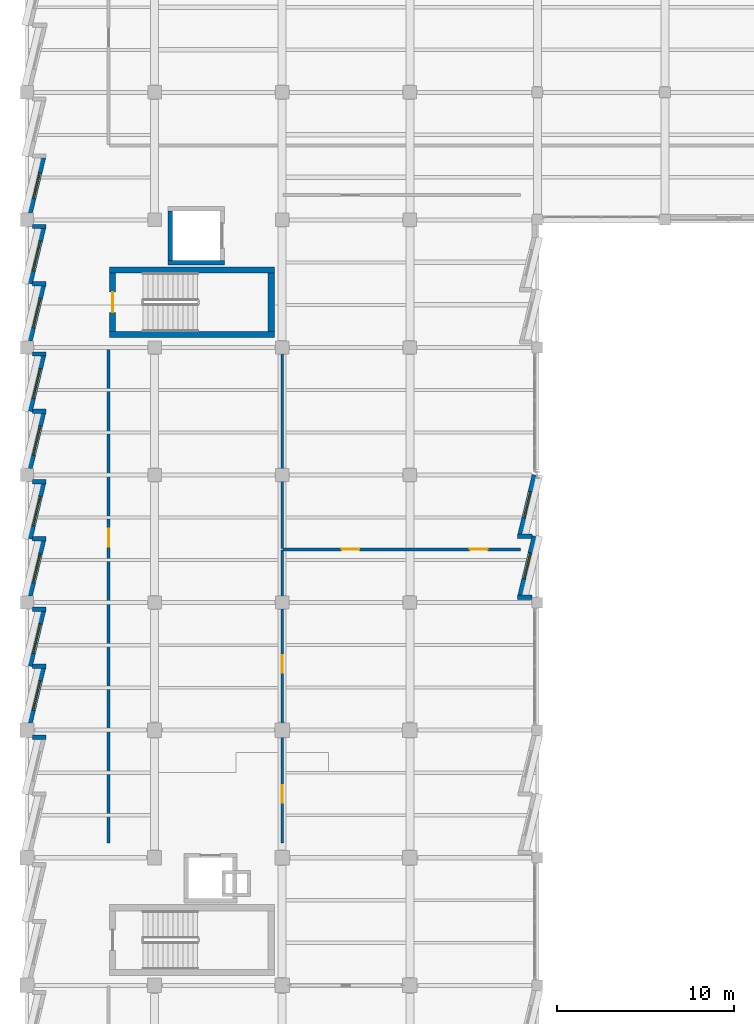
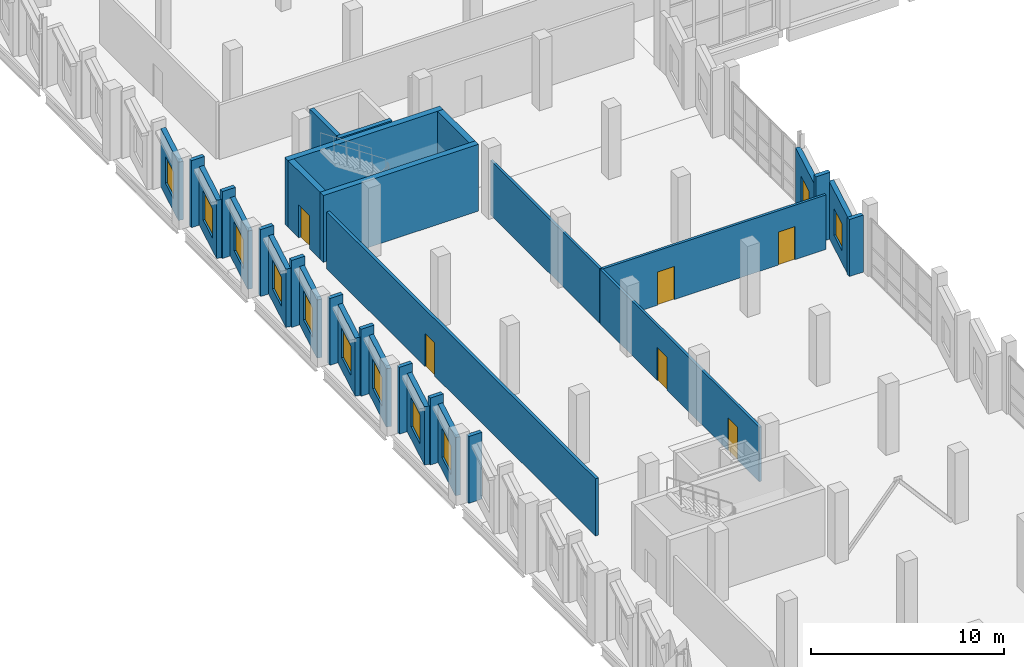
# One storey, part 93 of 123: 32 walls, 11 windows, 6 doors, 17 openings.
"""IFC4 building model written with IfcOpenShell, lengths in metres."""

from ifc_helpers import new_model, si_unit, direction, frame, frame_2d, origin, place, context, subcontext, project, spatial, rectangle, extrude, material, layer, layer_set, type_object, element, fill, save


model = new_model("IFC4")

# Units and contexts
model_context = context("Model", 3, precision=1e-05, world=origin(), true_north=direction((0.0, 1.0)))
body_context = subcontext(model_context, "Body", "Model", "MODEL_VIEW")
ifc_project = project(units=[si_unit("LENGTHUNIT", "METRE"), si_unit("AREAUNIT", "SQUARE_METRE"), si_unit("VOLUMEUNIT", "CUBIC_METRE"), si_unit("PLANEANGLEUNIT", "RADIAN"), si_unit("MASSUNIT", "GRAM", prefix="KILO")], contexts=[model_context])

# Site, building, storey
site_placement = place(None, origin())
site = spatial("IfcSite", under=ifc_project, at=site_placement, CompositionType="ELEMENT")
building_placement = place(site_placement, origin())
building = spatial("IfcBuilding", under=site, at=building_placement, Name="Kalmorath City Hall", CompositionType="ELEMENT")
storey_placement = place(building_placement, frame((0.0, 0.0, 10.199951171875)))
storey = spatial("IfcBuildingStorey", under=building, at=storey_placement, Name="L02", CompositionType="ELEMENT", Elevation=10.199951171875)

# Walls
ifc_material_1 = material(Name="Concrete C50/60", Category="concrete")
ifc_layer_1 = layer(ifc_material_1, 0.35009765625)
ifc_layer_set_1 = layer_set([ifc_layer_1], Name="Concrete C50/60")
wall_type_1 = type_object("IfcWallType", Name="Concrete core shear wall 350", PredefinedType="SHEAR", material=ifc_layer_set_1)
for number, where, z_axis, x_axis, name in (
    (1, (4.64990234375, 87.125, 0.0), (0.0, 0.0, 1.0), (1.0, 0.0, 0.0), "L02 C4 stair core shear wall S"),
    (2, (13.949951171875, 90.77490234375, 0.0), (0.0, 0.0, 1.0), (-1.0, 0.0, 0.0), "L02 C4 stair core shear wall N"),
):
    element("IfcWall", number, at=place(storey_placement, frame(where, z_axis=z_axis, x_axis=x_axis)), inside=storey, type_object=wall_type_1, Name=name, PredefinedType="SHEAR", context=body_context, shape_type="SweptSolid", body=[
        extrude(rectangle(XDim=9.300048828125, YDim=0.35009765625, at=frame_2d((4.64990234375, 0.0))), origin(), (0.0, 0.0, 1.0), 4.239990234375),
    ])

# Wall, opening, door
wall_1_placement = place(storey_placement, frame((4.824951171875, 90.60009765625, 0.0), z_axis=(0.0, 0.0, 1.0), x_axis=(0.0, -1.0, 0.0)))
wall_1 = element("IfcWall", 3, at=wall_1_placement, inside=storey, type_object=wall_type_1, Name="L02 C4 stair core shear wall W", PredefinedType="SHEAR", context=body_context, shape_type="SweptSolid", body=[
    extrude(rectangle(XDim=3.300048828125, YDim=0.35009765625, at=frame_2d((1.64990234375, 0.0))), origin(), (0.0, 0.0, 1.0), 4.239990234375),
])
opening_1_placement = place(wall_1_placement, frame((1.074951171875, 0.0, 0.0)))
opening_1 = element("IfcOpeningElement", 4, at=opening_1_placement, cuts=wall_1, Name="Opening D-L02-082", PredefinedType="OPENING", context=body_context, shape_type="SweptSolid", body=[
    extrude(rectangle(XDim=1.14990234375, YDim=2.10009765625, at=frame_2d((0.574951171875, 1.050048828125))), frame((0.0, 0.18505859375, 0.0), z_axis=(0.0, -1.0, 0.0), x_axis=(1.0, 0.0, 0.0)), (0.0, 0.0, 1.0), 0.3701171875),
])
ifc_material_2 = material(Name="Galvanised steel fire door", Category="steel")
door_type_1 = type_object("IfcDoorType", Name="Stair enclosure 90-min fire door 1150x2100", OperationType="NOTDEFINED", PredefinedType="DOOR", material=ifc_material_2)
door_1_placement = place(opening_1_placement, frame((1.14990234375, 0.0, 0.0), z_axis=(0.0, 0.0, 1.0), x_axis=(-1.0, 0.0, 0.0)))
door_1 = element("IfcDoor", 5, at=door_1_placement, inside=storey, type_object=door_type_1, Name="L02 door D-L02-082", OperationType="SINGLE_SWING_RIGHT", OverallHeight=2.10009765625, OverallWidth=1.14990234375, PredefinedType="DOOR", context=body_context, shape_type="SweptSolid", body=[
    extrude(rectangle(XDim=1.14990234375, YDim=2.10009765625, at=frame_2d((0.574951171875, 1.050048828125))), frame((0.0, 0.02490234375, 0.0), z_axis=(0.0, -1.0, 0.0), x_axis=(1.0, 0.0, 0.0)), (0.0, 0.0, 1.0), 0.050048828125),
])
fill(opening_1, door_1)

# Walls
wall_2_placement = place(storey_placement, frame((13.77490234375, 87.300048828125, 0.0), z_axis=(0.0, 0.0, 1.0), x_axis=(0.0, 1.0, 0.0)))
element("IfcWall", 6, at=wall_2_placement, inside=storey, type_object=wall_type_1, Name="L02 C4 stair core shear wall E", PredefinedType="SHEAR", context=body_context, shape_type="SweptSolid", body=[
    extrude(rectangle(XDim=3.300048828125, YDim=0.35009765625, at=frame_2d((1.64990234375, 0.0))), origin(), (0.0, 0.0, 1.0), 4.239990234375),
])
ifc_material_3 = material(Name="Concrete C50/60", Category="concrete")
ifc_layer_2 = layer(ifc_material_3, 0.25)
ifc_layer_set_2 = layer_set([ifc_layer_2], Name="Concrete C50/60")
wall_type_2 = type_object("IfcWallType", Name="Concrete lift shaft wall 250", PredefinedType="SHEAR", material=ifc_layer_set_2)
wall_3_placement = place(storey_placement, frame((7.949951171875, 91.175048828125, 0.0), z_axis=(0.0, 0.0, 1.0), x_axis=(1.0, 0.0, 0.0)))
element("IfcWall", 7, at=wall_3_placement, inside=storey, type_object=wall_type_2, Name="L02 SL1 lift shaft wall -y", PredefinedType="SHEAR", context=body_context, shape_type="SweptSolid", body=[
    extrude(rectangle(XDim=3.199951171875, YDim=0.25, at=frame_2d((1.60009765625, 0.0))), origin(), (0.0, 0.0, 1.0), 4.239990234375),
])
wall_4_placement = place(storey_placement, frame((8.074951171875, 94.10009765625, 0.0), z_axis=(0.0, 0.0, 1.0), x_axis=(0.0, -1.0, 0.0)))
element("IfcWall", 8, at=wall_4_placement, inside=storey, type_object=wall_type_2, Name="L02 SL1 lift shaft wall -x", PredefinedType="SHEAR", context=body_context, shape_type="SweptSolid", body=[
    extrude(rectangle(XDim=2.800048828125, YDim=0.25, at=frame_2d((1.39990234375, 0.0))), origin(), (0.0, 0.0, 1.0), 4.239990234375),
])

# Wall, openings, doors
ifc_material_4 = material(Name="Acoustic metal-stud gypsum partition")
ifc_layer_3 = layer(ifc_material_4, 0.14990234375)
ifc_layer_set_3 = layer_set([ifc_layer_3], Name="Acoustic metal-stud gypsum partition")
wall_type_3 = type_object("IfcWallType", Name="Departmental suite partition 150", PredefinedType="PARTITIONING", material=ifc_layer_set_3)
wall_5_placement = place(storey_placement, frame((14.39990234375, 58.43994140625, 0.0), z_axis=(0.0, 0.0, 1.0), x_axis=(0.0, 1.0, 0.0)))
wall_5 = element("IfcWall", 9, at=wall_5_placement, inside=storey, type_object=wall_type_3, Name="L02 interior partition PW4 #123", PredefinedType="PARTITIONING", context=body_context, shape_type="SweptSolid", body=[
    extrude(rectangle(XDim=16.52001953125, YDim=0.14990234375, at=frame_2d((8.260009765625, 0.0))), origin(), (0.0, 0.0, 1.0), 3.450927734375),
])
opening_2_placement = place(wall_5_placement, frame((2.2548828125, 0.0, 0.0)))
opening_2 = element("IfcOpeningElement", 10, at=opening_2_placement, cuts=wall_5, Name="Opening D-L02-210", PredefinedType="OPENING", context=body_context, shape_type="SweptSolid", body=[
    extrude(rectangle(XDim=1.0, YDim=2.10009765625, at=frame_2d((0.5, 1.050048828125))), frame((0.0, 0.0849609375, 0.0), z_axis=(0.0, -1.0, 0.0), x_axis=(1.0, 0.0, 0.0)), (0.0, 0.0, 1.0), 0.169921875),
])
opening_3_placement = place(wall_5_placement, frame((9.594970703125, 0.0, 0.0)))
opening_3 = element("IfcOpeningElement", 11, at=opening_3_placement, cuts=wall_5, Name="Opening D-L02-213", PredefinedType="OPENING", context=body_context, shape_type="SweptSolid", body=[
    extrude(rectangle(XDim=1.0, YDim=2.10009765625, at=frame_2d((0.5, 1.050048828125))), frame((0.0, 0.0849609375, 0.0), z_axis=(0.0, -1.0, 0.0), x_axis=(1.0, 0.0, 0.0)), (0.0, 0.0, 1.0), 0.169921875),
])
ifc_material_5 = material(Name="Hardwood fire door", Category="wood")
door_type_2 = type_object("IfcDoorType", Name="Corridor 60-min fire door 1000x2100", OperationType="NOTDEFINED", PredefinedType="DOOR", material=ifc_material_5)
door_2_placement = place(opening_2_placement, origin())
door_2 = element("IfcDoor", 12, at=door_2_placement, inside=storey, type_object=door_type_2, Name="L02 door D-L02-210", OperationType="SINGLE_SWING_RIGHT", OverallHeight=2.10009765625, OverallWidth=1.0, PredefinedType="DOOR", context=body_context, shape_type="SweptSolid", body=[
    extrude(rectangle(XDim=1.0, YDim=2.10009765625, at=frame_2d((0.5, 1.050048828125))), frame((0.0, 0.02490234375, 0.0), z_axis=(0.0, -1.0, 0.0), x_axis=(1.0, 0.0, 0.0)), (0.0, 0.0, 1.0), 0.050048828125),
])
fill(opening_2, door_2)
door_3_placement = place(opening_3_placement, origin())
door_3 = element("IfcDoor", 13, at=door_3_placement, inside=storey, type_object=door_type_2, Name="L02 door D-L02-213", OperationType="SINGLE_SWING_LEFT", OverallHeight=2.10009765625, OverallWidth=1.0, PredefinedType="DOOR", context=body_context, shape_type="SweptSolid", body=[
    extrude(rectangle(XDim=1.0, YDim=2.10009765625, at=frame_2d((0.5, 1.050048828125))), frame((0.0, 0.02490234375, 0.0), z_axis=(0.0, -1.0, 0.0), x_axis=(1.0, 0.0, 0.0)), (0.0, 0.0, 1.0), 0.050048828125),
])
fill(opening_3, door_3)

wall_6_placement = place(storey_placement, frame((14.43994140625, 75.0, 0.0), z_axis=(0.0, 0.0, 1.0), x_axis=(1.0, 0.0, 0.0)))
wall_6 = element("IfcWall", 14, at=wall_6_placement, inside=storey, type_object=wall_type_3, Name="L02 interior partition PW4 #124", PredefinedType="PARTITIONING", context=body_context, shape_type="SweptSolid", body=[
    extrude(rectangle(XDim=13.420166015625, YDim=0.14990234375, at=frame_2d((6.7099609375, 0.0))), origin(), (0.0, 0.0, 1.0), 3.450927734375),
])
opening_4_placement = place(wall_6_placement, frame((3.31494140625, 0.0, 0.0)))
opening_4 = element("IfcOpeningElement", 15, at=opening_4_placement, cuts=wall_6, Name="Opening D-L02-211", PredefinedType="OPENING", context=body_context, shape_type="SweptSolid", body=[
    extrude(rectangle(XDim=1.0, YDim=2.10009765625, at=frame_2d((0.5, 1.050048828125))), frame((0.0, 0.0849609375, 0.0), z_axis=(0.0, -1.0, 0.0), x_axis=(1.0, 0.0, 0.0)), (0.0, 0.0, 1.0), 0.169921875),
])
opening_5_placement = place(wall_6_placement, frame((10.552490234375, 0.0, 0.0)))
opening_5 = element("IfcOpeningElement", 16, at=opening_5_placement, cuts=wall_6, Name="Opening D-L02-215", PredefinedType="OPENING", context=body_context, shape_type="SweptSolid", body=[
    extrude(rectangle(XDim=1.0, YDim=2.10009765625, at=frame_2d((0.5, 1.050048828125))), frame((0.0, 0.0849609375, 0.0), z_axis=(0.0, -1.0, 0.0), x_axis=(1.0, 0.0, 0.0)), (0.0, 0.0, 1.0), 0.169921875),
])
door_4_placement = place(opening_4_placement, origin())
door_4 = element("IfcDoor", 17, at=door_4_placement, inside=storey, type_object=door_type_2, Name="L02 door D-L02-211", OperationType="SINGLE_SWING_LEFT", OverallHeight=2.10009765625, OverallWidth=1.0, PredefinedType="DOOR", context=body_context, shape_type="SweptSolid", body=[
    extrude(rectangle(XDim=1.0, YDim=2.10009765625, at=frame_2d((0.5, 1.050048828125))), frame((0.0, 0.02490234375, 0.0), z_axis=(0.0, -1.0, 0.0), x_axis=(1.0, 0.0, 0.0)), (0.0, 0.0, 1.0), 0.050048828125),
])
fill(opening_4, door_4)
door_5_placement = place(opening_5_placement, origin())
door_5 = element("IfcDoor", 18, at=door_5_placement, inside=storey, type_object=door_type_2, Name="L02 door D-L02-215", OperationType="SINGLE_SWING_LEFT", OverallHeight=2.10009765625, OverallWidth=1.0, PredefinedType="DOOR", context=body_context, shape_type="SweptSolid", body=[
    extrude(rectangle(XDim=1.0, YDim=2.10009765625, at=frame_2d((0.5, 1.050048828125))), frame((0.0, 0.02490234375, 0.0), z_axis=(0.0, -1.0, 0.0), x_axis=(1.0, 0.0, 0.0)), (0.0, 0.0, 1.0), 0.050048828125),
])
fill(opening_5, door_5)

# Wall
wall_7_placement = place(storey_placement, frame((14.39990234375, 75.0400390625, 0.0), z_axis=(0.0, 0.0, 1.0), x_axis=(0.0, 1.0, 0.0)))
element("IfcWall", 19, at=wall_7_placement, inside=storey, type_object=wall_type_3, Name="L02 interior partition PW4 #125", PredefinedType="PARTITIONING", context=body_context, shape_type="SweptSolid", body=[
    extrude(rectangle(XDim=11.320068359375, YDim=0.14990234375, at=frame_2d((5.66015625, 0.0))), origin(), (0.0, 0.0, 1.0), 3.450927734375),
])

# Wall, opening, door
ifc_material_6 = material(Name="Fire-rated acoustic gypsum partition")
ifc_layer_4 = layer(ifc_material_6, 0.179931640625)
ifc_layer_set_4 = layer_set([ifc_layer_4], Name="Fire-rated acoustic gypsum partition")
wall_type_4 = type_object("IfcWallType", Name="One-hour corridor fire partition 180", PredefinedType="PARTITIONING", material=ifc_layer_set_4)
wall_8_placement = place(storey_placement, frame((4.60009765625, 58.43994140625, 0.0), z_axis=(0.0, 0.0, 1.0), x_axis=(0.0, 1.0, 0.0)))
wall_8 = element("IfcWall", 20, at=wall_8_placement, inside=storey, type_object=wall_type_4, Name="L02 interior partition PW2 #108", PredefinedType="PARTITIONING", context=body_context, shape_type="SweptSolid", body=[
    extrude(rectangle(XDim=27.920166015625, YDim=0.179931640625, at=frame_2d((13.9599609375, 0.0))), origin(), (0.0, 0.0, 1.0), 3.6181640625),
])
opening_6_placement = place(wall_8_placement, frame((16.719970703125, 0.0, 0.0)))
opening_6 = element("IfcOpeningElement", 21, at=opening_6_placement, cuts=wall_8, Name="Opening D-L02-212", PredefinedType="OPENING", context=body_context, shape_type="SweptSolid", body=[
    extrude(rectangle(XDim=1.0, YDim=2.10009765625, at=frame_2d((0.5, 1.050048828125))), frame((0.0, 0.099853515625, 0.0), z_axis=(0.0, -1.0, 0.0), x_axis=(1.0, 0.0, 0.0)), (0.0, 0.0, 1.0), 0.199951171875),
])
door_6_placement = place(opening_6_placement, origin())
door_6 = element("IfcDoor", 22, at=door_6_placement, inside=storey, type_object=door_type_2, Name="L02 door D-L02-212", OperationType="SINGLE_SWING_RIGHT", OverallHeight=2.10009765625, OverallWidth=1.0, PredefinedType="DOOR", context=body_context, shape_type="SweptSolid", body=[
    extrude(rectangle(XDim=1.0, YDim=2.10009765625, at=frame_2d((0.5, 1.050048828125))), frame((0.0, 0.02490234375, 0.0), z_axis=(0.0, -1.0, 0.0), x_axis=(1.0, 0.0, 0.0)), (0.0, 0.0, 1.0), 0.050048828125),
])
fill(opening_6, door_6)

# Walls
ifc_material_7 = material(Name="Precast concrete C40/50", Category="concrete")
ifc_layer_5 = layer(ifc_material_7, 0.239990234375)
ifc_layer_set_5 = layer_set([ifc_layer_5], Name="Precast concrete C40/50")
wall_type_5 = type_object("IfcWallType", Name="Precast sawtooth cheek wall 240", PredefinedType="SOLIDWALL", material=ifc_layer_set_5)
wall_9_placement = place(storey_placement, frame((1.072998046875, 64.39892578125, 0.0), z_axis=(0.0, 0.0, 1.0), x_axis=(-1.0, 0.0, 0.0)))
element("IfcWall", 23, at=wall_9_placement, inside=storey, type_object=wall_type_5, Name="L02 sawtooth return cheek #384", PredefinedType="SOLIDWALL", context=body_context, shape_type="SweptSolid", body=[
    extrude(rectangle(XDim=0.781005859375, YDim=0.239990234375, at=frame_2d((0.390625, 0.0))), origin(), (0.0, 0.0, 1.0), 4.239990234375),
])
for number, where, z_axis, x_axis, name in (
    (24, (1.075927734375, 68.41259765625, 0.0), (0.0, 0.0, 1.0), (-1.0, 0.0, 0.0), "L02 sawtooth return cheek #386"),
    (25, (1.075927734375, 71.6240234375, 0.0), (0.0, 0.0, 1.0), (-1.0, 0.0, 0.0), "L02 sawtooth return cheek #388"),
):
    element("IfcWall", number, at=place(storey_placement, frame(where, z_axis=z_axis, x_axis=x_axis)), inside=storey, type_object=wall_type_5, Name=name, PredefinedType="SOLIDWALL", context=body_context, shape_type="SweptSolid", body=[
        extrude(rectangle(XDim=0.783935546875, YDim=0.239990234375, at=frame_2d((0.39208984375, 0.0))), origin(), (0.0, 0.0, 1.0), 4.239990234375),
    ])
for number, where, z_axis, x_axis, name in (
    (26, (1.0791015625, 75.60009765625, 0.0), (0.0, 0.0, 1.0), (-1.0, 0.0, 0.0), "L02 sawtooth return cheek #390"),
    (27, (1.0791015625, 78.823974609375, 0.0), (0.0, 0.0, 1.0), (-1.0, 0.0, 0.0), "L02 sawtooth return cheek #392"),
    (28, (1.0791015625, 82.800048828125, 0.0), (0.0, 0.0, 1.0), (-1.0, 0.0, 0.0), "L02 sawtooth return cheek #394"),
    (29, (1.0791015625, 86.02392578125, 0.0), (0.0, 0.0, 1.0), (-1.0, 0.0, 0.0), "L02 sawtooth return cheek #396"),
    (30, (1.0791015625, 90.0, 0.0), (0.0, 0.0, 1.0), (-1.0, 0.0, 0.0), "L02 sawtooth return cheek #398"),
    (31, (1.0791015625, 93.22412109375, 0.0), (0.0, 0.0, 1.0), (-1.0, 0.0, 0.0), "L02 sawtooth return cheek #400"),
):
    element("IfcWall", number, at=place(storey_placement, frame(where, z_axis=z_axis, x_axis=x_axis)), inside=storey, type_object=wall_type_5, Name=name, PredefinedType="SOLIDWALL", context=body_context, shape_type="SweptSolid", body=[
        extrude(rectangle(XDim=0.787109375, YDim=0.239990234375, at=frame_2d((0.3935546875, 0.0))), origin(), (0.0, 0.0, 1.0), 4.239990234375),
    ])
wall_10_placement = place(storey_placement, frame((27.666748046875, 75.75048828125, 0.0), z_axis=(0.0, 0.0, 1.0), x_axis=(1.0, 0.0, 0.0)))
element("IfcWall", 32, at=wall_10_placement, inside=storey, type_object=wall_type_5, Name="L02 sawtooth return cheek #483", PredefinedType="SOLIDWALL", context=body_context, shape_type="SweptSolid", body=[
    extrude(rectangle(XDim=0.84130859375, YDim=0.239990234375, at=frame_2d((0.420654296875, 0.0))), origin(), (0.0, 0.0, 1.0), 4.239990234375),
])
wall_11_placement = place(storey_placement, frame((27.666748046875, 72.301025390625, 0.0), z_axis=(0.0, 0.0, 1.0), x_axis=(1.0, 0.0, 0.0)))
element("IfcWall", 33, at=wall_11_placement, inside=storey, type_object=wall_type_5, Name="L02 sawtooth return cheek #485", PredefinedType="SOLIDWALL", context=body_context, shape_type="SweptSolid", body=[
    extrude(rectangle(XDim=0.84130859375, YDim=0.239990234375, at=frame_2d((0.420654296875, 0.0))), origin(), (0.0, 0.0, 1.0), 3.6181640625),
])

# Wall, opening, window
ifc_material_8 = material(Name="Precast concrete C40/50", Category="concrete")
ifc_layer_6 = layer(ifc_material_8, 0.280029296875)
ifc_layer_set_6 = layer_set([ifc_layer_6], Name="Precast concrete C40/50")
wall_type_6 = type_object("IfcWallType", Name="Precast sawtooth facade wall 280", PredefinedType="SOLIDWALL", material=ifc_layer_set_6)
wall_12_placement = place(storey_placement, frame((0.159912109375, 65.200927734375, 0.0), z_axis=(0.0, 0.0, 1.0), x_axis=(0.23342764497, 0.972374174155, 0.0)))
wall_12 = element("IfcWall", 34, at=wall_12_placement, inside=storey, type_object=wall_type_6, Name="L02 sawtooth precast frame #385", PredefinedType="SOLIDWALL", context=body_context, shape_type="SweptSolid", body=[
    extrude(rectangle(XDim=3.207763671875, YDim=0.280029296875, at=frame_2d((1.60400390625, 0.0))), origin(), (0.0, 0.0, 1.0), 3.696044921875),
])
opening_7_placement = place(wall_12_placement, frame((0.75390625, 0.0, 0.800048828125)))
opening_7 = element("IfcOpeningElement", 35, at=opening_7_placement, cuts=wall_12, Name="Opening WN6", PredefinedType="OPENING", context=body_context, shape_type="SweptSolid", body=[
    extrude(rectangle(XDim=1.699951171875, YDim=1.85009765625, at=frame_2d((0.85009765625, 0.925048828125))), frame((0.0, 0.14990234375, 0.0), z_axis=(0.0, -1.0, 0.0), x_axis=(1.0, 0.0, 0.0)), (0.0, 0.0, 1.0), 0.300048828125),
])
ifc_material_9 = material(Name="Aluminium and laminated glass", Category="aluminium")
window_type_1 = type_object("IfcWindowType", Name="Sawtooth west wing window 1700x1850", PartitioningType="SINGLE_PANEL", PredefinedType="WINDOW", material=ifc_material_9)
window_1_placement = place(opening_7_placement, origin())
window_1 = element("IfcWindow", 36, at=window_1_placement, inside=storey, type_object=window_type_1, Name="L02 window WN6-185", OverallHeight=1.85009765625, OverallWidth=1.699951171875, PartitioningType="SINGLE_PANEL", PredefinedType="WINDOW", context=body_context, shape_type="SweptSolid", body=[
    extrude(rectangle(XDim=1.699951171875, YDim=1.85009765625, at=frame_2d((0.85009765625, 0.925048828125))), frame((0.0, 0.030029296875, 0.0), z_axis=(0.0, -1.0, 0.0), x_axis=(1.0, 0.0, 0.0)), (0.0, 0.0, 1.0), 0.06005859375),
])
fill(opening_7, window_1)

wall_13_placement = place(storey_placement, frame((0.159912109375, 68.41259765625, 0.0), z_axis=(0.0, 0.0, 1.0), x_axis=(0.233444921457, 0.972370026608, 0.0)))
wall_13 = element("IfcWall", 37, at=wall_13_placement, inside=storey, type_object=wall_type_6, Name="L02 sawtooth precast frame #387", PredefinedType="SOLIDWALL", context=body_context, shape_type="SweptSolid", body=[
    extrude(rectangle(XDim=3.20751953125, YDim=0.280029296875, at=frame_2d((1.603759765625, 0.0))), origin(), (0.0, 0.0, 1.0), 3.696044921875),
])
opening_8_placement = place(wall_13_placement, frame((0.75390625, 0.0, 0.800048828125)))
opening_8 = element("IfcOpeningElement", 38, at=opening_8_placement, cuts=wall_13, Name="Opening WN6", PredefinedType="OPENING", context=body_context, shape_type="SweptSolid", body=[
    extrude(rectangle(XDim=1.699951171875, YDim=1.85009765625, at=frame_2d((0.85009765625, 0.925048828125))), frame((0.0, 0.14990234375, 0.0), z_axis=(0.0, -1.0, 0.0), x_axis=(1.0, 0.0, 0.0)), (0.0, 0.0, 1.0), 0.300048828125),
])
window_2_placement = place(opening_8_placement, origin())
window_2 = element("IfcWindow", 39, at=window_2_placement, inside=storey, type_object=window_type_1, Name="L02 window WN6-186", OverallHeight=1.85009765625, OverallWidth=1.699951171875, PartitioningType="SINGLE_PANEL", PredefinedType="WINDOW", context=body_context, shape_type="SweptSolid", body=[
    extrude(rectangle(XDim=1.699951171875, YDim=1.85009765625, at=frame_2d((0.85009765625, 0.925048828125))), frame((0.0, 0.030029296875, 0.0), z_axis=(0.0, -1.0, 0.0), x_axis=(1.0, 0.0, 0.0)), (0.0, 0.0, 1.0), 0.06005859375),
])
fill(opening_8, window_2)

wall_14_placement = place(storey_placement, frame((0.159912109375, 72.3759765625, 0.0), z_axis=(0.0, 0.0, 1.0), x_axis=(0.233481900362, 0.972361148033, 0.0)))
wall_14 = element("IfcWall", 40, at=wall_14_placement, inside=storey, type_object=wall_type_6, Name="L02 sawtooth precast frame #389", PredefinedType="SOLIDWALL", context=body_context, shape_type="SweptSolid", body=[
    extrude(rectangle(XDim=3.220703125, YDim=0.280029296875, at=frame_2d((1.6103515625, 0.0))), origin(), (0.0, 0.0, 1.0), 3.696044921875),
])
opening_9_placement = place(wall_14_placement, frame((0.76025390625, 0.0, 0.800048828125)))
opening_9 = element("IfcOpeningElement", 41, at=opening_9_placement, cuts=wall_14, Name="Opening WN6", PredefinedType="OPENING", context=body_context, shape_type="SweptSolid", body=[
    extrude(rectangle(XDim=1.699951171875, YDim=1.85009765625, at=frame_2d((0.85009765625, 0.925048828125))), frame((0.0, 0.14990234375, 0.0), z_axis=(0.0, -1.0, 0.0), x_axis=(1.0, 0.0, 0.0)), (0.0, 0.0, 1.0), 0.300048828125),
])
window_3_placement = place(opening_9_placement, origin())
window_3 = element("IfcWindow", 42, at=window_3_placement, inside=storey, type_object=window_type_1, Name="L02 window WN6-187", OverallHeight=1.85009765625, OverallWidth=1.699951171875, PartitioningType="SINGLE_PANEL", PredefinedType="WINDOW", context=body_context, shape_type="SweptSolid", body=[
    extrude(rectangle(XDim=1.699951171875, YDim=1.85009765625, at=frame_2d((0.85009765625, 0.925048828125))), frame((0.0, 0.030029296875, 0.0), z_axis=(0.0, -1.0, 0.0), x_axis=(1.0, 0.0, 0.0)), (0.0, 0.0, 1.0), 0.06005859375),
])
fill(opening_9, window_3)

wall_15_placement = place(storey_placement, frame((0.159912109375, 75.60009765625, 0.0), z_axis=(0.0, 0.0, 1.0), x_axis=(0.233481900362, 0.972361148033, 0.0)))
wall_15 = element("IfcWall", 43, at=wall_15_placement, inside=storey, type_object=wall_type_6, Name="L02 sawtooth precast frame #391", PredefinedType="SOLIDWALL", context=body_context, shape_type="SweptSolid", body=[
    extrude(rectangle(XDim=3.220703125, YDim=0.280029296875, at=frame_2d((1.6103515625, 0.0))), origin(), (0.0, 0.0, 1.0), 3.696044921875),
])
opening_10_placement = place(wall_15_placement, frame((0.76025390625, 0.0, 0.800048828125)))
opening_10 = element("IfcOpeningElement", 44, at=opening_10_placement, cuts=wall_15, Name="Opening WN6", PredefinedType="OPENING", context=body_context, shape_type="SweptSolid", body=[
    extrude(rectangle(XDim=1.699951171875, YDim=1.85009765625, at=frame_2d((0.85009765625, 0.925048828125))), frame((0.0, 0.14990234375, 0.0), z_axis=(0.0, -1.0, 0.0), x_axis=(1.0, 0.0, 0.0)), (0.0, 0.0, 1.0), 0.300048828125),
])
window_4_placement = place(opening_10_placement, origin())
window_4 = element("IfcWindow", 45, at=window_4_placement, inside=storey, type_object=window_type_1, Name="L02 window WN6-188", OverallHeight=1.85009765625, OverallWidth=1.699951171875, PartitioningType="SINGLE_PANEL", PredefinedType="WINDOW", context=body_context, shape_type="SweptSolid", body=[
    extrude(rectangle(XDim=1.699951171875, YDim=1.85009765625, at=frame_2d((0.85009765625, 0.925048828125))), frame((0.0, 0.030029296875, 0.0), z_axis=(0.0, -1.0, 0.0), x_axis=(1.0, 0.0, 0.0)), (0.0, 0.0, 1.0), 0.06005859375),
])
fill(opening_10, window_4)

wall_16_placement = place(storey_placement, frame((0.159912109375, 79.575927734375, 0.0), z_axis=(0.0, 0.0, 1.0), x_axis=(0.233481900362, 0.972361148033, 0.0)))
wall_16 = element("IfcWall", 46, at=wall_16_placement, inside=storey, type_object=wall_type_6, Name="L02 sawtooth precast frame #393", PredefinedType="SOLIDWALL", context=body_context, shape_type="SweptSolid", body=[
    extrude(rectangle(XDim=3.220703125, YDim=0.280029296875, at=frame_2d((1.6103515625, 0.0))), origin(), (0.0, 0.0, 1.0), 3.696044921875),
])
opening_11_placement = place(wall_16_placement, frame((0.76025390625, 0.0, 0.800048828125)))
opening_11 = element("IfcOpeningElement", 47, at=opening_11_placement, cuts=wall_16, Name="Opening WN6", PredefinedType="OPENING", context=body_context, shape_type="SweptSolid", body=[
    extrude(rectangle(XDim=1.699951171875, YDim=1.85009765625, at=frame_2d((0.85009765625, 0.925048828125))), frame((0.0, 0.14990234375, 0.0), z_axis=(0.0, -1.0, 0.0), x_axis=(1.0, 0.0, 0.0)), (0.0, 0.0, 1.0), 0.300048828125),
])
window_5_placement = place(opening_11_placement, origin())
window_5 = element("IfcWindow", 48, at=window_5_placement, inside=storey, type_object=window_type_1, Name="L02 window WN6-189", OverallHeight=1.85009765625, OverallWidth=1.699951171875, PartitioningType="SINGLE_PANEL", PredefinedType="WINDOW", context=body_context, shape_type="SweptSolid", body=[
    extrude(rectangle(XDim=1.699951171875, YDim=1.85009765625, at=frame_2d((0.85009765625, 0.925048828125))), frame((0.0, 0.030029296875, 0.0), z_axis=(0.0, -1.0, 0.0), x_axis=(1.0, 0.0, 0.0)), (0.0, 0.0, 1.0), 0.06005859375),
])
fill(opening_11, window_5)

wall_17_placement = place(storey_placement, frame((0.159912109375, 82.800048828125, 0.0), z_axis=(0.0, 0.0, 1.0), x_axis=(0.233481900362, 0.972361148033, 0.0)))
wall_17 = element("IfcWall", 49, at=wall_17_placement, inside=storey, type_object=wall_type_6, Name="L02 sawtooth precast frame #395", PredefinedType="SOLIDWALL", context=body_context, shape_type="SweptSolid", body=[
    extrude(rectangle(XDim=3.220703125, YDim=0.280029296875, at=frame_2d((1.6103515625, 0.0))), origin(), (0.0, 0.0, 1.0), 3.696044921875),
])
opening_12_placement = place(wall_17_placement, frame((0.76025390625, 0.0, 0.800048828125)))
opening_12 = element("IfcOpeningElement", 50, at=opening_12_placement, cuts=wall_17, Name="Opening WN6", PredefinedType="OPENING", context=body_context, shape_type="SweptSolid", body=[
    extrude(rectangle(XDim=1.699951171875, YDim=1.85009765625, at=frame_2d((0.85009765625, 0.925048828125))), frame((0.0, 0.14990234375, 0.0), z_axis=(0.0, -1.0, 0.0), x_axis=(1.0, 0.0, 0.0)), (0.0, 0.0, 1.0), 0.300048828125),
])
window_6_placement = place(opening_12_placement, origin())
window_6 = element("IfcWindow", 51, at=window_6_placement, inside=storey, type_object=window_type_1, Name="L02 window WN6-190", OverallHeight=1.85009765625, OverallWidth=1.699951171875, PartitioningType="SINGLE_PANEL", PredefinedType="WINDOW", context=body_context, shape_type="SweptSolid", body=[
    extrude(rectangle(XDim=1.699951171875, YDim=1.85009765625, at=frame_2d((0.85009765625, 0.925048828125))), frame((0.0, 0.030029296875, 0.0), z_axis=(0.0, -1.0, 0.0), x_axis=(1.0, 0.0, 0.0)), (0.0, 0.0, 1.0), 0.06005859375),
])
fill(opening_12, window_6)

wall_18_placement = place(storey_placement, frame((0.159912109375, 86.77587890625, 0.0), z_axis=(0.0, 0.0, 1.0), x_axis=(0.233464691497, 0.972365280039, 0.0)))
wall_18 = element("IfcWall", 52, at=wall_18_placement, inside=storey, type_object=wall_type_6, Name="L02 sawtooth precast frame #397", PredefinedType="SOLIDWALL", context=body_context, shape_type="SweptSolid", body=[
    extrude(rectangle(XDim=3.220947265625, YDim=0.280029296875, at=frame_2d((1.6103515625, 0.0))), origin(), (0.0, 0.0, 1.0), 3.696044921875),
])
opening_13_placement = place(wall_18_placement, frame((0.76025390625, 0.0, 0.800048828125)))
opening_13 = element("IfcOpeningElement", 53, at=opening_13_placement, cuts=wall_18, Name="Opening WN6", PredefinedType="OPENING", context=body_context, shape_type="SweptSolid", body=[
    extrude(rectangle(XDim=1.699951171875, YDim=1.85009765625, at=frame_2d((0.85009765625, 0.925048828125))), frame((0.0, 0.14990234375, 0.0), z_axis=(0.0, -1.0, 0.0), x_axis=(1.0, 0.0, 0.0)), (0.0, 0.0, 1.0), 0.300048828125),
])
window_7_placement = place(opening_13_placement, origin())
window_7 = element("IfcWindow", 54, at=window_7_placement, inside=storey, type_object=window_type_1, Name="L02 window WN6-191", OverallHeight=1.85009765625, OverallWidth=1.699951171875, PartitioningType="SINGLE_PANEL", PredefinedType="WINDOW", context=body_context, shape_type="SweptSolid", body=[
    extrude(rectangle(XDim=1.699951171875, YDim=1.85009765625, at=frame_2d((0.85009765625, 0.925048828125))), frame((0.0, 0.030029296875, 0.0), z_axis=(0.0, -1.0, 0.0), x_axis=(1.0, 0.0, 0.0)), (0.0, 0.0, 1.0), 0.06005859375),
])
fill(opening_13, window_7)

wall_19_placement = place(storey_placement, frame((0.159912109375, 90.0, 0.0), z_axis=(0.0, 0.0, 1.0), x_axis=(0.233481900362, 0.972361148033, 0.0)))
wall_19 = element("IfcWall", 55, at=wall_19_placement, inside=storey, type_object=wall_type_6, Name="L02 sawtooth precast frame #399", PredefinedType="SOLIDWALL", context=body_context, shape_type="SweptSolid", body=[
    extrude(rectangle(XDim=3.220703125, YDim=0.280029296875, at=frame_2d((1.6103515625, 0.0))), origin(), (0.0, 0.0, 1.0), 3.696044921875),
])
opening_14_placement = place(wall_19_placement, frame((0.76025390625, 0.0, 0.800048828125)))
opening_14 = element("IfcOpeningElement", 56, at=opening_14_placement, cuts=wall_19, Name="Opening WN6", PredefinedType="OPENING", context=body_context, shape_type="SweptSolid", body=[
    extrude(rectangle(XDim=1.699951171875, YDim=1.85009765625, at=frame_2d((0.85009765625, 0.925048828125))), frame((0.0, 0.14990234375, 0.0), z_axis=(0.0, -1.0, 0.0), x_axis=(1.0, 0.0, 0.0)), (0.0, 0.0, 1.0), 0.300048828125),
])
window_8_placement = place(opening_14_placement, origin())
window_8 = element("IfcWindow", 57, at=window_8_placement, inside=storey, type_object=window_type_1, Name="L02 window WN6-192", OverallHeight=1.85009765625, OverallWidth=1.699951171875, PartitioningType="SINGLE_PANEL", PredefinedType="WINDOW", context=body_context, shape_type="SweptSolid", body=[
    extrude(rectangle(XDim=1.699951171875, YDim=1.85009765625, at=frame_2d((0.85009765625, 0.925048828125))), frame((0.0, 0.030029296875, 0.0), z_axis=(0.0, -1.0, 0.0), x_axis=(1.0, 0.0, 0.0)), (0.0, 0.0, 1.0), 0.06005859375),
])
fill(opening_14, window_8)

wall_20_placement = place(storey_placement, frame((0.159912109375, 93.97607421875, 0.0), z_axis=(0.0, 0.0, 1.0), x_axis=(0.233481900362, 0.972361148033, 0.0)))
wall_20 = element("IfcWall", 58, at=wall_20_placement, inside=storey, type_object=wall_type_6, Name="L02 sawtooth precast frame #401", PredefinedType="SOLIDWALL", context=body_context, shape_type="SweptSolid", body=[
    extrude(rectangle(XDim=3.220703125, YDim=0.280029296875, at=frame_2d((1.6103515625, 0.0))), origin(), (0.0, 0.0, 1.0), 3.696044921875),
])
opening_15_placement = place(wall_20_placement, frame((0.8603515625, 0.0, 0.800048828125)))
opening_15 = element("IfcOpeningElement", 59, at=opening_15_placement, cuts=wall_20, Name="Opening WN7", PredefinedType="OPENING", context=body_context, shape_type="SweptSolid", body=[
    extrude(rectangle(XDim=1.5, YDim=1.699951171875, at=frame_2d((0.75, 0.85009765625))), frame((0.0, 0.14990234375, 0.0), z_axis=(0.0, -1.0, 0.0), x_axis=(1.0, 0.0, 0.0)), (0.0, 0.0, 1.0), 0.300048828125),
])
ifc_material_10 = material(Name="Aluminium and laminated glass", Category="aluminium")
window_type_2 = type_object("IfcWindowType", Name="Sawtooth top storey window 1500x1700", PartitioningType="SINGLE_PANEL", PredefinedType="WINDOW", material=ifc_material_10)
window_9_placement = place(opening_15_placement, origin())
window_9 = element("IfcWindow", 60, at=window_9_placement, inside=storey, type_object=window_type_2, Name="L02 window WN7-193", OverallHeight=1.699951171875, OverallWidth=1.5, PartitioningType="SINGLE_PANEL", PredefinedType="WINDOW", context=body_context, shape_type="SweptSolid", body=[
    extrude(rectangle(XDim=1.5, YDim=1.699951171875, at=frame_2d((0.75, 0.85009765625))), frame((0.0, 0.030029296875, 0.0), z_axis=(0.0, -1.0, 0.0), x_axis=(1.0, 0.0, 0.0)), (0.0, 0.0, 1.0), 0.06005859375),
])
fill(opening_15, window_9)

wall_21_placement = place(storey_placement, frame((28.639892578125, 79.199951171875, 0.0), z_axis=(0.0, 0.0, 1.0), x_axis=(-0.233439818328, -0.972371251744, 0.0)))
wall_21 = element("IfcWall", 61, at=wall_21_placement, inside=storey, type_object=wall_type_6, Name="L02 sawtooth precast frame #482", PredefinedType="SOLIDWALL", context=body_context, shape_type="SweptSolid", body=[
    extrude(rectangle(XDim=3.452392578125, YDim=0.280029296875, at=frame_2d((1.72607421875, 0.0))), origin(), (0.0, 0.0, 1.0), 3.6181640625),
])
opening_16_placement = place(wall_21_placement, frame((0.976318359375, 0.0, 0.800048828125)))
opening_16 = element("IfcOpeningElement", 62, at=opening_16_placement, cuts=wall_21, Name="Opening WN7", PredefinedType="OPENING", context=body_context, shape_type="SweptSolid", body=[
    extrude(rectangle(XDim=1.5, YDim=1.699951171875, at=frame_2d((0.75, 0.85009765625))), frame((0.0, 0.14990234375, 0.0), z_axis=(0.0, -1.0, 0.0), x_axis=(1.0, 0.0, 0.0)), (0.0, 0.0, 1.0), 0.300048828125),
])
window_10_placement = place(opening_16_placement, origin())
window_10 = element("IfcWindow", 63, at=window_10_placement, inside=storey, type_object=window_type_2, Name="L02 window WN7-254", OverallHeight=1.699951171875, OverallWidth=1.5, PartitioningType="SINGLE_PANEL", PredefinedType="WINDOW", context=body_context, shape_type="SweptSolid", body=[
    extrude(rectangle(XDim=1.5, YDim=1.699951171875, at=frame_2d((0.75, 0.85009765625))), frame((0.0, 0.030029296875, 0.0), z_axis=(0.0, -1.0, 0.0), x_axis=(1.0, 0.0, 0.0)), (0.0, 0.0, 1.0), 0.06005859375),
])
fill(opening_16, window_10)

wall_22_placement = place(storey_placement, frame((28.639892578125, 75.75048828125, 0.0), z_axis=(0.0, 0.0, 1.0), x_axis=(-0.23342376713, -0.972375105059, 0.0)))
wall_22 = element("IfcWall", 64, at=wall_22_placement, inside=storey, type_object=wall_type_6, Name="L02 sawtooth precast frame #484", PredefinedType="SOLIDWALL", context=body_context, shape_type="SweptSolid", body=[
    extrude(rectangle(XDim=3.45263671875, YDim=0.280029296875, at=frame_2d((1.726318359375, 0.0))), origin(), (0.0, 0.0, 1.0), 3.6181640625),
])
opening_17_placement = place(wall_22_placement, frame((0.976318359375, 0.0, 0.800048828125)))
opening_17 = element("IfcOpeningElement", 65, at=opening_17_placement, cuts=wall_22, Name="Opening WN7", PredefinedType="OPENING", context=body_context, shape_type="SweptSolid", body=[
    extrude(rectangle(XDim=1.5, YDim=1.699951171875, at=frame_2d((0.75, 0.85009765625))), frame((0.0, 0.14990234375, 0.0), z_axis=(0.0, -1.0, 0.0), x_axis=(1.0, 0.0, 0.0)), (0.0, 0.0, 1.0), 0.300048828125),
])
window_11_placement = place(opening_17_placement, origin())
window_11 = element("IfcWindow", 66, at=window_11_placement, inside=storey, type_object=window_type_2, Name="L02 window WN7-255", OverallHeight=1.699951171875, OverallWidth=1.5, PartitioningType="SINGLE_PANEL", PredefinedType="WINDOW", context=body_context, shape_type="SweptSolid", body=[
    extrude(rectangle(XDim=1.5, YDim=1.699951171875, at=frame_2d((0.75, 0.85009765625))), frame((0.0, 0.030029296875, 0.0), z_axis=(0.0, -1.0, 0.0), x_axis=(1.0, 0.0, 0.0)), (0.0, 0.0, 1.0), 0.06005859375),
])
fill(opening_17, window_11)

save(model, "model.ifc")
